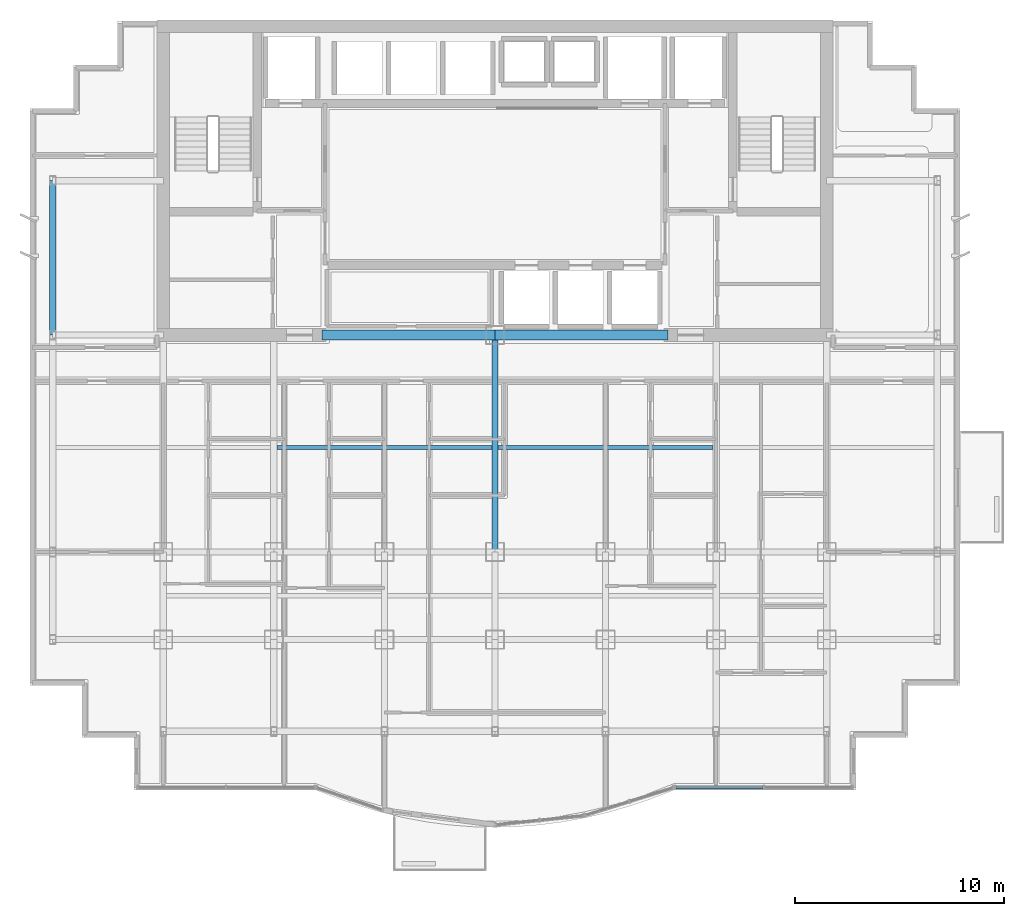
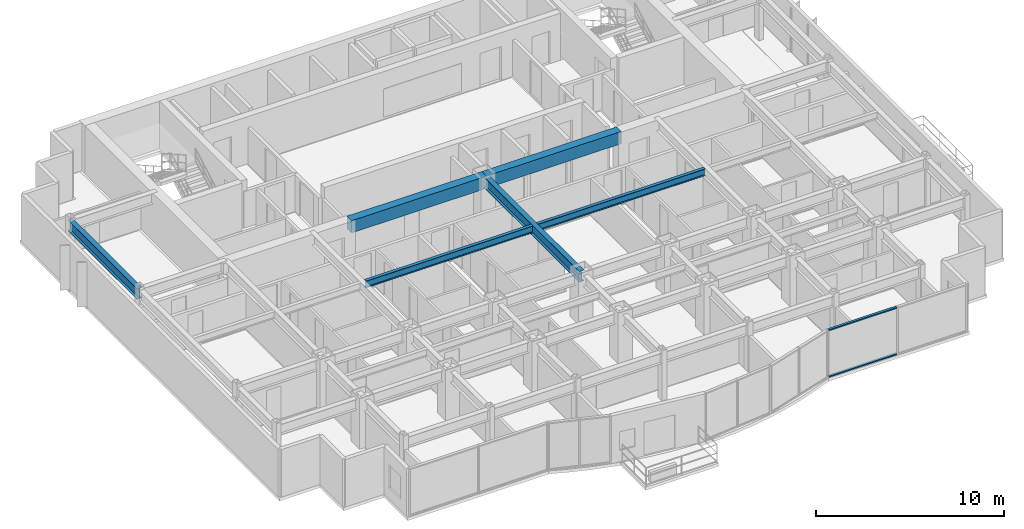
# One storey, part 3 of 11: 6 beams, 2 members, 1 element without a shape of its own.
"""IFC4 building model written with IfcOpenShell, lengths in metres."""

import ifcopenshell
import ifcopenshell.guid

model = None  # the IFC model being written
_history = None  # IfcOwnerHistory: only IFC2X3 demands one
_inside = {}  # id of a spatial element -> (the spatial element, [elements in it])
_under = {}  # id of a project, library or spatial element -> (it, [spatial elements below it])
_declared = {}  # id of a project -> (the project, [libraries it declares])
_typed = {}  # id of a type object -> (the type object, [elements of that type])
_made_of = {}  # id of a material, layer set ... -> (it, [elements and type objects made of it])


def new_model(schema):
    """Start an empty IFC model of exactly this schema.

    Asked for "IFC4X3", IfcOpenShell would pick the latest addendum, in which some entities
    have other attributes; the version numbers below select the first issue.
    IFC2X3 requires an IfcOwnerHistory on every rooted entity: one is made here for all.
    """
    global model, _history
    if schema == "IFC4X3":
        model = ifcopenshell.file(schema_version=(4, 3, 0, 0))
    else:
        model = ifcopenshell.file(schema=schema)
    _inside.clear()
    _under.clear()
    _declared.clear()
    _typed.clear()
    _made_of.clear()
    _history = None
    if model.schema == "IFC2X3":
        org = make("IfcOrganization", Name="unknown")
        user = make(
            "IfcPersonAndOrganization",
            ThePerson=make("IfcPerson", FamilyName="unknown"),
            TheOrganization=org,
        )
        app = make(
            "IfcApplication",
            ApplicationDeveloper=org,
            Version="unknown",
            ApplicationFullName="unknown",
            ApplicationIdentifier="unknown",
        )
        _history = make(
            "IfcOwnerHistory",
            OwningUser=user,
            OwningApplication=app,
            ChangeAction="ADDED",
            CreationDate=0,
        )
    return model


def make(cls, **values):
    """One entity of the class cls with the attributes given. An attribute that is None is left unset."""
    return model.create_entity(
        cls, **{name: value for name, value in values.items() if value is not None}
    )


def rooted(cls, **values):
    """An entity with a GlobalId (a new one), such as an element, a storey or a relation."""
    return make(cls, GlobalId=ifcopenshell.guid.new(), OwnerHistory=_history, **values)


def si_unit(unit_type, name, prefix=None):
    """IfcSIUnit, for example si_unit("LENGTHUNIT", "METRE", prefix="MILLI")."""
    return make("IfcSIUnit", UnitType=unit_type, Prefix=prefix, Name=name)


def assignment(units):
    """IfcUnitAssignment: the units of a project."""
    return None if units is None else make("IfcUnitAssignment", Units=units)


def point(xyz):
    """IfcCartesianPoint."""
    return None if xyz is None else make("IfcCartesianPoint", Coordinates=xyz)


def direction(xyz):
    """IfcDirection."""
    return None if xyz is None else make("IfcDirection", DirectionRatios=xyz)


def frame(location, z_axis=None, x_axis=None):
    """IfcAxis2Placement3D, a coordinate frame: its origin and axes. An axis left out is left unset."""
    return make(
        "IfcAxis2Placement3D",
        Location=point(location),
        Axis=direction(z_axis),
        RefDirection=direction(x_axis),
    )


def frame_2d(location, x_axis=None):
    """IfcAxis2Placement2D, a coordinate frame in the plane: its origin and x axis."""
    return make(
        "IfcAxis2Placement2D", Location=point(location), RefDirection=direction(x_axis)
    )


def origin():
    """The frame at (0, 0, 0) with its axes left unset."""
    return frame((0.0, 0.0, 0.0))


def origin_2d():
    """The frame at (0, 0) in the plane with its x axis left unset."""
    return frame_2d((0.0, 0.0))


def place(relative_to, where):
    """IfcLocalPlacement: puts the frame where relative to a parent placement (None: the world)."""
    return make(
        "IfcLocalPlacement", PlacementRelTo=relative_to, RelativePlacement=where
    )


def context(
    kind, dimensions, precision=None, world=None, true_north=None, identifier=None
):
    """IfcGeometricRepresentationContext, for example the 3D "Model" context."""
    return make(
        "IfcGeometricRepresentationContext",
        ContextIdentifier=identifier,
        ContextType=kind,
        CoordinateSpaceDimension=dimensions,
        Precision=precision,
        WorldCoordinateSystem=world,
        TrueNorth=true_north,
    )


def subcontext(parent, identifier, kind, view, scale=None):
    """IfcGeometricRepresentationSubContext, for example "Body" below "Model"."""
    return make(
        "IfcGeometricRepresentationSubContext",
        ContextIdentifier=identifier,
        ContextType=kind,
        ParentContext=parent,
        TargetScale=scale,
        TargetView=view,
    )


def project(units=None, contexts=None):
    """IfcProject with its units and contexts."""
    return rooted(
        "IfcProject",
        Name="project",
        RepresentationContexts=contexts,
        UnitsInContext=assignment(units),
    )


def spatial(cls, under=None, at=None, **own):
    """A site, building, storey or space (cls), placed at a placement, below another one or the project."""
    s = rooted(cls, ObjectPlacement=at, **own)
    if under is not None:
        _under.setdefault(under.id(), (under, []))[1].append(s)
    return s


def profile(cls, at=None, kind="AREA", **sizes):
    """A parametric profile (cls). Its sizes go by their IFC names, for example OverallWidth=200.0."""
    return make(cls, ProfileType=kind, Position=at, **sizes)


def rectangle(**sizes):
    """IfcRectangleProfileDef."""
    return profile("IfcRectangleProfileDef", **sizes)


def i_section(**sizes):
    """IfcIShapeProfileDef."""
    return profile("IfcIShapeProfileDef", **sizes)


def extrude(swept, where, along, depth):
    """IfcExtrudedAreaSolid: the profile swept, set in the frame where, extruded along a direction by depth."""
    return make(
        "IfcExtrudedAreaSolid",
        SweptArea=swept,
        Position=where,
        ExtrudedDirection=direction(along),
        Depth=depth,
    )


def shape(context_of_items, identifier, shape_type, items):
    """IfcShapeRepresentation: the items that make up one representation, for example the "Body"."""
    return make(
        "IfcShapeRepresentation",
        ContextOfItems=context_of_items,
        RepresentationIdentifier=identifier,
        RepresentationType=shape_type,
        Items=items,
    )


def source(mapping_origin, context_of_items, identifier, shape_type, items):
    """IfcRepresentationMap: a shape defined once, which mapped items show again and again."""
    return make(
        "IfcRepresentationMap",
        MappingOrigin=mapping_origin,
        MappedRepresentation=shape(context_of_items, identifier, shape_type, items),
    )


def transform(
    local_origin,
    x_axis=None,
    y_axis=None,
    z_axis=None,
    scale=None,
    scale2=None,
    scale3=None,
    uniform=True,
):
    """IfcCartesianTransformationOperator3D, or its non-uniform kind. x_axis, y_axis, z_axis: its Axis1, 2, 3."""
    if uniform:
        return make(
            "IfcCartesianTransformationOperator3D",
            Axis1=direction(x_axis),
            Axis2=direction(y_axis),
            LocalOrigin=point(local_origin),
            Scale=scale,
            Axis3=direction(z_axis),
        )
    return make(
        "IfcCartesianTransformationOperator3DnonUniform",
        Axis1=direction(x_axis),
        Axis2=direction(y_axis),
        LocalOrigin=point(local_origin),
        Scale=scale,
        Axis3=direction(z_axis),
        Scale2=scale2,
        Scale3=scale3,
    )


def mapped(mapping_source, mapping_target):
    """IfcMappedItem: shows the shape of a source again, moved by a transform."""
    return make(
        "IfcMappedItem", MappingSource=mapping_source, MappingTarget=mapping_target
    )


def material(Name=None, Category=None):
    """IfcMaterial."""
    return make("IfcMaterial", Name=Name, Category=Category)


def layer(
    of_material, thickness, ventilated=None, Name=None, Category=None, Priority=None
):
    """IfcMaterialLayer: one layer of a wall or slab, of a material (None: an air gap)."""
    return make(
        "IfcMaterialLayer",
        Material=of_material,
        LayerThickness=thickness,
        IsVentilated=ventilated,
        Name=Name,
        Category=Category,
        Priority=Priority,
    )


def layer_set(layers, Name=None):
    """IfcMaterialLayerSet."""
    return make("IfcMaterialLayerSet", MaterialLayers=layers, LayerSetName=Name)


def material_profile(
    of_material, cross_section, Name=None, Category=None, Priority=None
):
    """IfcMaterialProfile: a cross section and its material."""
    return make(
        "IfcMaterialProfile",
        Name=Name,
        Material=of_material,
        Profile=cross_section,
        Priority=Priority,
        Category=Category,
    )


def profile_set(profiles, Name=None, composite=None):
    """IfcMaterialProfileSet."""
    return make(
        "IfcMaterialProfileSet",
        Name=Name,
        MaterialProfiles=profiles,
        CompositeProfile=composite,
    )


def made_of(thing, what):
    """Note that an element or type object is made of a material, layer set ...; save() writes the relation."""
    if what is not None:
        _made_of.setdefault(what.id(), (what, []))[1].append(thing)
    return thing


def type_object(cls, material=None, **own):
    """A type object (cls), such as IfcWallType, which elements share."""
    return made_of(rooted(cls, **own), material)


def element(
    cls,
    number,
    at=None,
    inside=None,
    cuts=None,
    type_object=None,
    material=None,
    context=None,
    identifier="Body",
    shape_type=None,
    held_by="IfcProductDefinitionShape",
    body=None,
    shapes=None,
    **own,
):
    """One element of the class cls, such as IfcWall. Its Tag is "e" and its number.

    at: its placement. inside: the storey or other place that contains it. cuts: it is an
    opening in that element (IfcRelVoidsElement). A single representation is given by context,
    identifier, shape_type and body (its items); several are given by shapes. held_by: the class
    of the entity that holds the representations. save() writes the other relations.
    """
    e = rooted(cls, Tag="e%d" % number, ObjectPlacement=at, **own)
    if body is not None:
        shapes = [shape(context, identifier, shape_type, body)]
    if shapes is not None:
        e.Representation = make(held_by, Representations=shapes)
    if inside is not None:
        _inside.setdefault(inside.id(), (inside, []))[1].append(e)
    if cuts is not None:
        rooted(
            "IfcRelVoidsElement", RelatingBuildingElement=cuts, RelatedOpeningElement=e
        )
    if type_object is not None:
        _typed.setdefault(type_object.id(), (type_object, []))[1].append(e)
    return made_of(e, material)


def aggregate(whole, parts):
    """IfcRelAggregates: a whole, such as a stair, and the parts it consists of."""
    return rooted("IfcRelAggregates", RelatingObject=whole, RelatedObjects=parts)


def save(model, path):
    """Write the relations noted so far, then the file.

    IfcRelAggregates (storeys below a building ...), IfcRelContainedInSpatialStructure (elements
    in a storey), IfcRelDefinesByType, IfcRelAssociatesMaterial and IfcRelDeclares: one each for
    every whole, place, type object, material and project.
    """
    for whole, parts in _under.values():
        aggregate(whole, parts)
    for where, things in _inside.values():
        rooted(
            "IfcRelContainedInSpatialStructure",
            RelatedElements=things,
            RelatingStructure=where,
        )
    for kind, things in _typed.values():
        rooted("IfcRelDefinesByType", RelatedObjects=things, RelatingType=kind)
    for what, things in _made_of.values():
        rooted("IfcRelAssociatesMaterial", RelatedObjects=things, RelatingMaterial=what)
    for by, libraries in _declared.values():
        rooted("IfcRelDeclares", RelatingContext=by, RelatedDefinitions=libraries)
    model.write(path)


model = new_model("IFC4")

# Units and contexts
model_context = context("Model", 3, precision=1e-05, world=origin(), true_north=direction((0.0, 1.0)))
body_context = subcontext(model_context, "Body", "Model", "MODEL_VIEW")
ifc_project = project(units=[si_unit("LENGTHUNIT", "METRE"), si_unit("AREAUNIT", "SQUARE_METRE"), si_unit("VOLUMEUNIT", "CUBIC_METRE"), si_unit("PLANEANGLEUNIT", "RADIAN"), si_unit("MASSUNIT", "GRAM", prefix="KILO")], contexts=[model_context])

# Site, building, storey
site_placement = place(None, origin())
site = spatial("IfcSite", under=ifc_project, at=site_placement, CompositionType="ELEMENT")
building_placement = place(site_placement, origin())
building = spatial("IfcBuilding", under=site, at=building_placement, Name="Qianlan Lanfeng Residences", CompositionType="ELEMENT")
storey_placement = place(building_placement, frame((0.0, 0.0, 145.800048828125)))
storey = spatial("IfcBuildingStorey", under=building, at=storey_placement, Name="L39", CompositionType="ELEMENT", Elevation=145.800048828125)

# Beams
ifc_material_1 = material(Name="Steel SN490B", Category="steel")
ifc_material_profile_1 = material_profile(ifc_material_1, i_section(OverallWidth=0.300048828125, OverallDepth=0.699951171875, WebThickness=0.012939453125, FlangeThickness=0.02392578125, at=origin_2d()), Name="H 700x300x13x24")
ifc_profile_set_1 = profile_set([ifc_material_profile_1], Name="Steel SN490B")
beam_type_1 = type_object("IfcBeamType", Name="G-750", PredefinedType="BEAM", material=ifc_profile_set_1)
beam_1_placement = place(storey_placement, frame((26.5, 14.800048828125, 2.75), z_axis=(0.0, 1.0, 0.0), x_axis=(-1.0, 0.0, 0.0)))
element("IfcBeam", 1, at=beam_1_placement, inside=storey, type_object=beam_type_1, Name="Structural beam G-750", PredefinedType="BEAM", context=body_context, shape_type="SweptSolid", body=[
    extrude(i_section(OverallWidth=0.300048828125, OverallDepth=0.699951171875, WebThickness=0.012939453125, FlangeThickness=0.02392578125, at=origin_2d()), origin(), (0.0, 0.0, 1.0), 10.39990234375),
])
ifc_material_profile_2 = material_profile(ifc_material_1, i_section(OverallWidth=0.199951171875, OverallDepth=0.449951171875, WebThickness=0.009033203125, FlangeThickness=0.013916015625, at=origin_2d()), Name="H 450x200x9x14")
ifc_profile_set_2 = profile_set([ifc_material_profile_2], Name="Steel SN490B")
beam_type_2 = type_object("IfcBeamType", Name="J-450", PredefinedType="JOIST", material=ifc_profile_set_2)
for number, where, z_axis, x_axis, name in (
    (2, (16.050048828125, 19.800048828125, 2.875), (1.0, 0.0, 0.0), (0.0, 1.0, 0.0), "Structural beam J-450"),
    (3, (26.64990234375, 19.800048828125, 2.875), (1.0, 0.0, 0.0), (0.0, 1.0, 0.0), "Structural beam J-450"),
):
    element("IfcBeam", number, at=place(storey_placement, frame(where, z_axis=z_axis, x_axis=x_axis)), inside=storey, type_object=beam_type_2, Name=name, PredefinedType="JOIST", context=body_context, shape_type="SweptSolid", body=[
        extrude(i_section(OverallWidth=0.199951171875, OverallDepth=0.449951171875, WebThickness=0.009033203125, FlangeThickness=0.013916015625, at=origin_2d()), origin(), (0.0, 0.0, 1.0), 10.300048828125),
    ])
ifc_material_2 = material(Name="Concrete C49", Category="concrete")
ifc_material_profile_3 = material_profile(ifc_material_2, rectangle(XDim=0.5, YDim=0.800048828125, at=origin_2d()), Name="RC 500x800")
ifc_profile_set_3 = profile_set([ifc_material_profile_3], Name="Concrete C49")
beam_type_3 = type_object("IfcBeamType", Name="LB-RC750", PredefinedType="BEAM", material=ifc_profile_set_3)
for number, where, z_axis, x_axis, name in (
    (4, (18.199951171875, 25.199951171875, 2.699951171875), (1.0, 0.0, 0.0), (0.0, 1.0, 0.0), "L39 Core Coupling Beam W"),
    (5, (26.5, 25.199951171875, 2.699951171875), (1.0, 0.0, 0.0), (0.0, 1.0, 0.0), "L39 Core Coupling Beam E"),
):
    element("IfcBeam", number, at=place(storey_placement, frame(where, z_axis=z_axis, x_axis=x_axis)), inside=storey, type_object=beam_type_3, Name=name, PredefinedType="BEAM", context=body_context, shape_type="SweptSolid", body=[
        extrude(rectangle(XDim=0.5, YDim=0.800048828125, at=origin_2d()), origin(), (0.0, 0.0, 1.0), 8.300048828125),
    ])
ifc_material_profile_4 = material_profile(ifc_material_1, i_section(OverallWidth=0.300048828125, OverallDepth=0.699951171875, WebThickness=0.012939453125, FlangeThickness=0.02392578125, at=origin_2d()), Name="H 700x300x13x24")
ifc_profile_set_4 = profile_set([ifc_material_profile_4], Name="Steel SN490B")
beam_type_4 = type_object("IfcBeamType", Name="SG-750", PredefinedType="SPANDREL", material=ifc_profile_set_4)
beam_2_placement = place(storey_placement, frame((5.300048828125, 25.199951171875, 2.739990234375), z_axis=(0.0, 1.0, 0.0), x_axis=(-1.0, 0.0, 0.0)))
element("IfcBeam", 6, at=beam_2_placement, inside=storey, type_object=beam_type_4, Name="Structural beam SG-750", PredefinedType="SPANDREL", context=body_context, shape_type="SweptSolid", body=[
    extrude(i_section(OverallWidth=0.300048828125, OverallDepth=0.699951171875, WebThickness=0.012939453125, FlangeThickness=0.02392578125, at=origin_2d()), origin(), (0.0, 0.0, 1.0), 7.400146484375),
])

# Curtain wall, members
ifc_material_3 = material(Name="Anodised Bronze Aluminium 6063-T6", Category="aluminium")
ifc_layer = layer(ifc_material_3, 0.219970703125)
ifc_layer_set = layer_set([ifc_layer], Name="Anodised Bronze Aluminium 6063-T6")
curtain_wall_type = type_object("IfcCurtainWallType", Name="CW-04", PredefinedType="NOTDEFINED", material=ifc_layer_set)
curtain_wall_placement = place(storey_placement, origin())
curtain_wall = element("IfcCurtainWall", 7, at=curtain_wall_placement, inside=storey, type_object=curtain_wall_type, Name="L39 Unitised Curtain Wall CWR-L39-05 (CW-04)", PredefinedType="NOTDEFINED")
ifc_material_profile_5 = material_profile(ifc_material_3, rectangle(XDim=0.074951171875, YDim=0.14990234375, at=origin_2d()), Name="ALU TRANSOM 75x150")
ifc_profile_set_5 = profile_set([ifc_material_profile_5], Name="Anodised Bronze Aluminium 6063-T6")
member_type = type_object("IfcMemberType", Name="CWT-150", PredefinedType="USERDEFINED", material=ifc_profile_set_5)
shared_shape = source(origin(), body_context, "Body", "SweptSolid", [
    extrude(rectangle(XDim=0.074951171875, YDim=0.14990234375, at=origin_2d()), origin(), (0.0, 0.0, 1.0), 4.178955078125),
])
member_1_placement = place(storey_placement, frame((35.172119140625, 3.52001953125, 0.037353515625), z_axis=(1.0, 0.0, 0.0), x_axis=(0.0, 0.0, 1.0)))
member_1 = element("IfcMember", 8, at=member_1_placement, type_object=member_type, Name="CWR-L39-05 Transom 1-BOT", ObjectType="TRANSOM", PredefinedType="USERDEFINED", context=body_context, shape_type="MappedRepresentation", body=[
    mapped(shared_shape, transform((0.0, 0.0, 0.0), scale=1.0)),
])
member_2_placement = place(storey_placement, frame((35.172119140625, 3.52001953125, 3.0625), z_axis=(1.0, 0.0, 0.0), x_axis=(0.0, 0.0, 1.0)))
member_2 = element("IfcMember", 9, at=member_2_placement, type_object=member_type, Name="CWR-L39-05 Transom 1-TOP", ObjectType="TRANSOM", PredefinedType="USERDEFINED", context=body_context, shape_type="MappedRepresentation", body=[
    mapped(shared_shape, transform((0.0, 0.0, 0.0), scale=1.0)),
])
aggregate(curtain_wall, [member_1, member_2])

save(model, "model.ifc")
